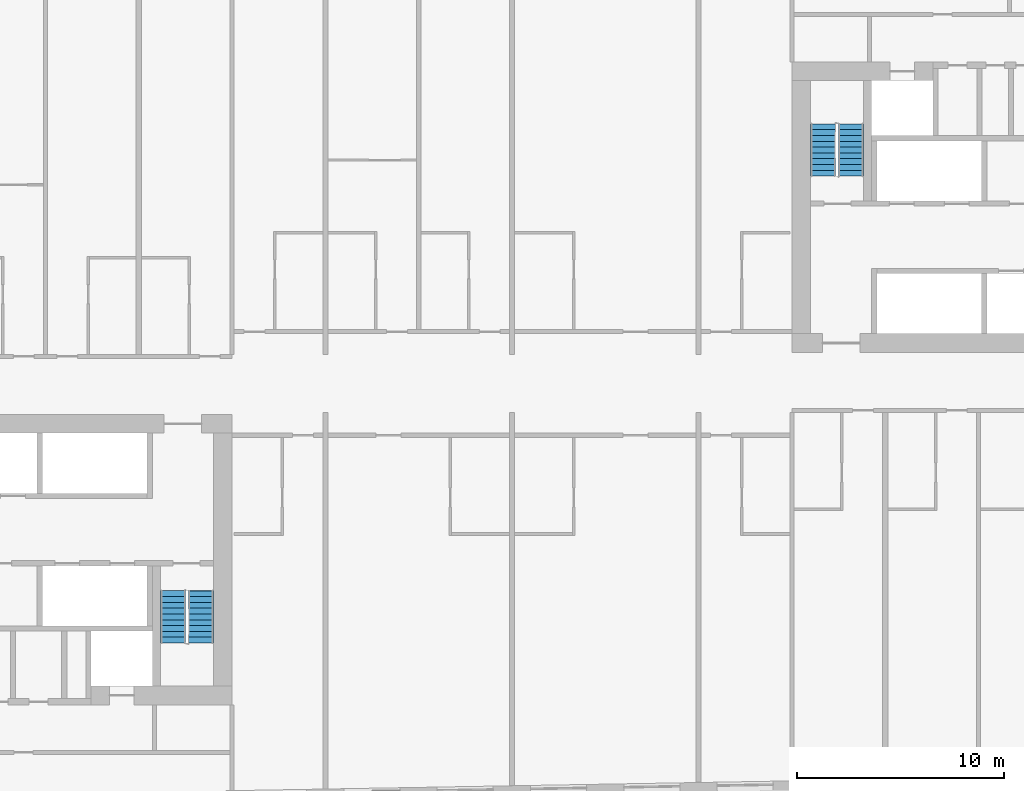
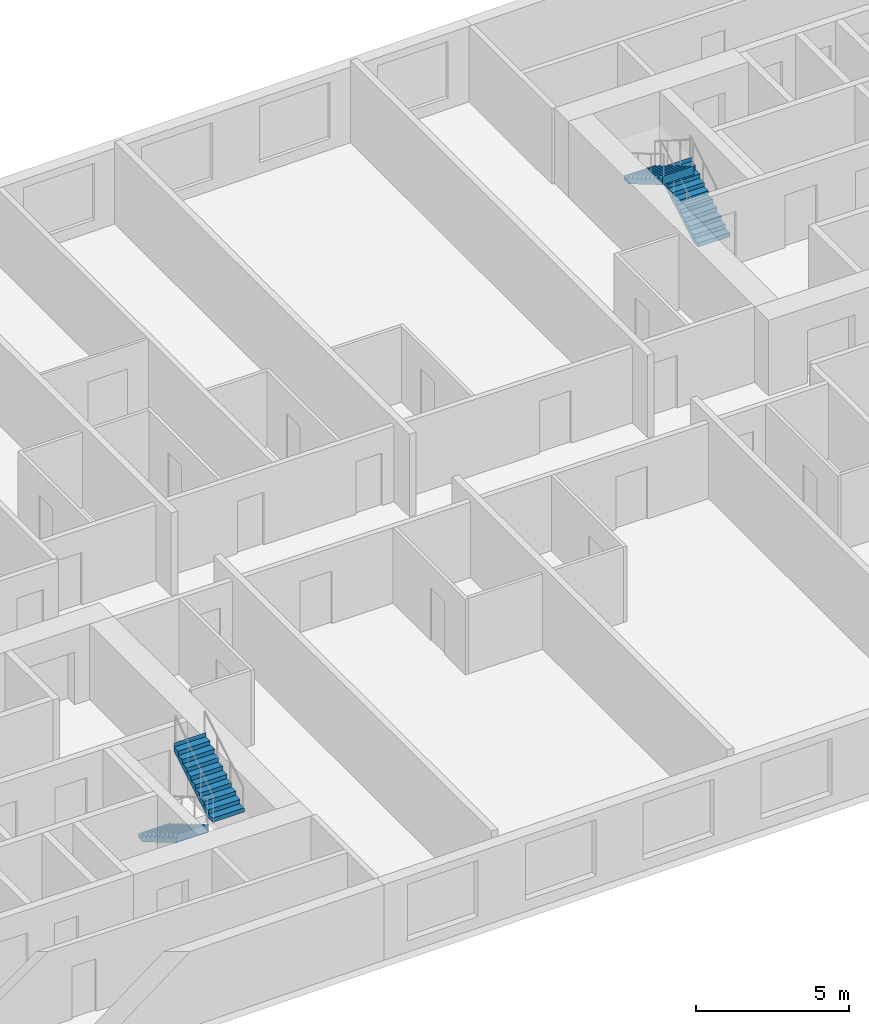
# One storey, part 9 of 11: 4 stair flights, 2 elements without a shape of their own.
"""IFC4 building model written with IfcOpenShell, lengths in metres."""

from ifc_helpers import new_model, si_unit, direction, frame, origin, place, context, subcontext, project, spatial, faceted_brep, material, type_object, element, aggregate, save


model = new_model("IFC4")

# Units and contexts
model_context = context("Model", 3, precision=1e-05, world=origin(), true_north=direction((0.0, 1.0)))
body_context = subcontext(model_context, "Body", "Model", "MODEL_VIEW")
ifc_project = project(units=[si_unit("LENGTHUNIT", "METRE"), si_unit("AREAUNIT", "SQUARE_METRE"), si_unit("VOLUMEUNIT", "CUBIC_METRE"), si_unit("PLANEANGLEUNIT", "RADIAN"), si_unit("MASSUNIT", "GRAM", prefix="KILO")], contexts=[model_context])

# Site, building, storey
site_placement = place(None, origin())
site = spatial("IfcSite", under=ifc_project, at=site_placement, CompositionType="ELEMENT")
building_placement = place(site_placement, origin())
building = spatial("IfcBuilding", under=site, at=building_placement, Name="Kajstack Hotel Tower", CompositionType="ELEMENT")
storey_placement = place(building_placement, frame((0.0, 0.0, 250.699951171875)))
storey = spatial("IfcBuildingStorey", under=building, at=storey_placement, Name="L62", CompositionType="ELEMENT", Elevation=250.699951171875)

# Stair, stair flights
ifc_material = material(Name="Concrete C40/50", Category="concrete")
stair_type = type_object("IfcStairType", Name="Exit stair 1200", PredefinedType="HALF_TURN_STAIR", material=ifc_material)
stair_1_placement = place(storey_placement, origin())
stair_1 = element("IfcStair", 1, at=stair_1_placement, inside=storey, type_object=stair_type, Name="L62 stair W2", PredefinedType="HALF_TURN_STAIR")
stair_flight_type = type_object("IfcStairFlightType", Name="Exit stair flight 1200", PredefinedType="STRAIGHT", material=ifc_material)
stair_flight_1_placement = place(storey_placement, frame((-16.35009765625, -10.0, 0.0), z_axis=(0.0, 0.0, 1.0), x_axis=(0.0, -1.0, 0.0)))
stair_flight_1 = element("IfcStairFlight", 2, at=stair_flight_1_placement, type_object=stair_flight_type, Name="W2 flight 1", NumberOfRisers=10, NumberOfTreads=9, PredefinedType="STRAIGHT", RiserHeight=0.165, TreadLength=0.28, context=body_context, shape_type="Brep", body=[
    faceted_brep([(0.295654296875, -0.60009765625, 0.0), (2.5205078125, -0.60009765625, 1.31103515625), (2.5205078125, -0.60009765625, 1.64990234375), (2.52001953125, -0.60009765625, 1.64990234375), (2.52001953125, -0.60009765625, 1.485107421875), (2.239990234375, -0.60009765625, 1.485107421875), (2.239990234375, -0.60009765625, 1.320068359375), (1.9599609375, -0.60009765625, 1.320068359375), (1.9599609375, -0.60009765625, 1.155029296875), (1.679931640625, -0.60009765625, 1.155029296875), (1.679931640625, -0.60009765625, 0.989990234375), (1.39990234375, -0.60009765625, 0.989990234375), (1.39990234375, -0.60009765625, 0.824951171875), (1.1201171875, -0.60009765625, 0.824951171875), (1.1201171875, -0.60009765625, 0.659912109375), (0.840087890625, -0.60009765625, 0.659912109375), (0.840087890625, -0.60009765625, 0.4951171875), (0.56005859375, -0.60009765625, 0.4951171875), (0.56005859375, -0.60009765625, 0.330078125), (0.280029296875, -0.60009765625, 0.330078125), (0.280029296875, -0.60009765625, 0.1650390625), (-0.00048828125, -0.60009765625, 0.1650390625), (-0.00048828125, -0.60009765625, 0.0), (-0.00048828125, 0.60009765625, 0.0), (-0.00048828125, 0.60009765625, 0.1650390625), (0.280029296875, 0.60009765625, 0.1650390625), (0.280029296875, 0.60009765625, 0.330078125), (0.56005859375, 0.60009765625, 0.330078125), (0.56005859375, 0.60009765625, 0.4951171875), (0.840087890625, 0.60009765625, 0.4951171875), (0.840087890625, 0.60009765625, 0.659912109375), (1.1201171875, 0.60009765625, 0.659912109375), (1.1201171875, 0.60009765625, 0.824951171875), (1.39990234375, 0.60009765625, 0.824951171875), (1.39990234375, 0.60009765625, 0.989990234375), (1.679931640625, 0.60009765625, 0.989990234375), (1.679931640625, 0.60009765625, 1.155029296875), (1.9599609375, 0.60009765625, 1.155029296875), (1.9599609375, 0.60009765625, 1.320068359375), (2.239990234375, 0.60009765625, 1.320068359375), (2.239990234375, 0.60009765625, 1.485107421875), (2.52001953125, 0.60009765625, 1.485107421875), (2.52001953125, 0.60009765625, 1.64990234375), (2.5205078125, 0.60009765625, 1.64990234375), (2.5205078125, 0.60009765625, 1.31103515625), (0.295654296875, 0.60009765625, 0.0), (-0.00048828125, -0.300048828125, 0.1650390625), (-0.00048828125, 0.0, 0.1650390625), (-0.00048828125, 0.300048828125, 0.1650390625), (-0.00048828125, 0.300048828125, 0.0), (-0.00048828125, 0.0, 0.0), (-0.00048828125, -0.300048828125, 0.0), (0.280029296875, -0.300048828125, 0.1650390625), (0.280029296875, 0.0, 0.1650390625), (0.280029296875, 0.300048828125, 0.1650390625), (0.280029296875, -0.300048828125, 0.330078125), (0.280029296875, 0.0, 0.330078125), (0.280029296875, 0.300048828125, 0.330078125), (0.56005859375, -0.300048828125, 0.330078125), (0.56005859375, 0.0, 0.330078125), (0.56005859375, 0.300048828125, 0.330078125), (0.56005859375, -0.300048828125, 0.4951171875), (0.56005859375, 0.0, 0.4951171875), (0.56005859375, 0.300048828125, 0.4951171875), (0.840087890625, -0.300048828125, 0.4951171875), (0.840087890625, 0.0, 0.4951171875), (0.840087890625, 0.300048828125, 0.4951171875), (0.840087890625, -0.300048828125, 0.659912109375), (0.840087890625, 0.0, 0.659912109375), (0.840087890625, 0.300048828125, 0.659912109375), (1.1201171875, -0.300048828125, 0.659912109375), (1.1201171875, 0.0, 0.659912109375), (1.1201171875, 0.300048828125, 0.659912109375), (1.1201171875, -0.300048828125, 0.824951171875), (1.1201171875, 0.0, 0.824951171875), (1.1201171875, 0.300048828125, 0.824951171875), (1.39990234375, -0.300048828125, 0.824951171875), (1.39990234375, 0.0, 0.824951171875), (1.39990234375, 0.300048828125, 0.824951171875), (1.39990234375, -0.300048828125, 0.989990234375), (1.39990234375, 0.0, 0.989990234375), (1.39990234375, 0.300048828125, 0.989990234375), (1.679931640625, -0.300048828125, 0.989990234375), (1.679931640625, 0.0, 0.989990234375), (1.679931640625, 0.300048828125, 0.989990234375), (1.679931640625, -0.300048828125, 1.155029296875), (1.679931640625, 0.0, 1.155029296875), (1.679931640625, 0.300048828125, 1.155029296875), (1.9599609375, -0.300048828125, 1.155029296875), (1.9599609375, 0.0, 1.155029296875), (1.9599609375, 0.300048828125, 1.155029296875), (1.9599609375, -0.300048828125, 1.320068359375), (1.9599609375, 0.0, 1.320068359375), (1.9599609375, 0.300048828125, 1.320068359375), (2.239990234375, -0.300048828125, 1.320068359375), (2.239990234375, 0.0, 1.320068359375), (2.239990234375, 0.300048828125, 1.320068359375), (2.239990234375, -0.300048828125, 1.485107421875), (2.239990234375, 0.0, 1.485107421875), (2.239990234375, 0.300048828125, 1.485107421875), (2.52001953125, -0.300048828125, 1.485107421875), (2.52001953125, 0.0, 1.485107421875), (2.52001953125, 0.300048828125, 1.485107421875), (2.52001953125, -0.300048828125, 1.64990234375), (2.52001953125, 0.0, 1.64990234375), (2.52001953125, 0.300048828125, 1.64990234375), (2.5205078125, -0.300048828125, 1.64990234375), (2.5205078125, 0.0, 1.64990234375), (2.5205078125, 0.300048828125, 1.64990234375), (2.5205078125, -0.300048828125, 1.31103515625), (2.5205078125, 0.0, 1.31103515625), (2.5205078125, 0.300048828125, 1.31103515625), (0.295654296875, -0.300048828125, 0.0), (0.295654296875, 0.0, 0.0), (0.295654296875, 0.300048828125, 0.0)], [[[0, 1, 2, 3, 4, 5, 6, 7, 8, 9, 10, 11, 12, 13, 14, 15, 16, 17, 18, 19, 20, 21, 22]], [[23, 24, 25, 26, 27, 28, 29, 30, 31, 32, 33, 34, 35, 36, 37, 38, 39, 40, 41, 42, 43, 44, 45]], [[21, 46, 47, 48, 24, 23, 49, 50, 51, 22]], [[20, 52, 53, 54, 25, 24, 48, 47, 46, 21]], [[19, 55, 56, 57, 26, 25, 54, 53, 52, 20]], [[18, 58, 59, 60, 27, 26, 57, 56, 55, 19]], [[17, 61, 62, 63, 28, 27, 60, 59, 58, 18]], [[16, 64, 65, 66, 29, 28, 63, 62, 61, 17]], [[15, 67, 68, 69, 30, 29, 66, 65, 64, 16]], [[14, 70, 71, 72, 31, 30, 69, 68, 67, 15]], [[13, 73, 74, 75, 32, 31, 72, 71, 70, 14]], [[12, 76, 77, 78, 33, 32, 75, 74, 73, 13]], [[11, 79, 80, 81, 34, 33, 78, 77, 76, 12]], [[10, 82, 83, 84, 35, 34, 81, 80, 79, 11]], [[9, 85, 86, 87, 36, 35, 84, 83, 82, 10]], [[8, 88, 89, 90, 37, 36, 87, 86, 85, 9]], [[7, 91, 92, 93, 38, 37, 90, 89, 88, 8]], [[6, 94, 95, 96, 39, 38, 93, 92, 91, 7]], [[5, 97, 98, 99, 40, 39, 96, 95, 94, 6]], [[4, 100, 101, 102, 41, 40, 99, 98, 97, 5]], [[3, 103, 104, 105, 42, 41, 102, 101, 100, 4]], [[2, 106, 107, 108, 43, 42, 105, 104, 103, 3]], [[1, 109, 110, 111, 44, 43, 108, 107, 106, 2]], [[0, 112, 113, 114, 45, 44, 111, 110, 109, 1]], [[22, 51, 50, 49, 23, 45, 114, 113, 112, 0]]]),
])
stair_flight_2_placement = place(storey_placement, frame((-15.0, -12.52001953125, 1.650146484375), z_axis=(0.0, 0.0, 1.0), x_axis=(0.0, 1.0, 0.0)))
stair_flight_2 = element("IfcStairFlight", 3, at=stair_flight_2_placement, type_object=stair_flight_type, Name="W2 flight 2", NumberOfRisers=10, NumberOfTreads=9, PredefinedType="STRAIGHT", RiserHeight=0.165, TreadLength=0.28, context=body_context, shape_type="Brep", body=[
    faceted_brep([(0.295654296875, -0.60009765625, 0.0), (2.5205078125, -0.60009765625, 1.31103515625), (2.5205078125, -0.60009765625, 1.64990234375), (2.52001953125, -0.60009765625, 1.64990234375), (2.52001953125, -0.60009765625, 1.485107421875), (2.239990234375, -0.60009765625, 1.485107421875), (2.239990234375, -0.60009765625, 1.320068359375), (1.9599609375, -0.60009765625, 1.320068359375), (1.9599609375, -0.60009765625, 1.155029296875), (1.679931640625, -0.60009765625, 1.155029296875), (1.679931640625, -0.60009765625, 0.989990234375), (1.39990234375, -0.60009765625, 0.989990234375), (1.39990234375, -0.60009765625, 0.824951171875), (1.1201171875, -0.60009765625, 0.824951171875), (1.1201171875, -0.60009765625, 0.659912109375), (0.840087890625, -0.60009765625, 0.659912109375), (0.840087890625, -0.60009765625, 0.4951171875), (0.56005859375, -0.60009765625, 0.4951171875), (0.56005859375, -0.60009765625, 0.330078125), (0.280029296875, -0.60009765625, 0.330078125), (0.280029296875, -0.60009765625, 0.1650390625), (-0.00048828125, -0.60009765625, 0.1650390625), (-0.00048828125, -0.60009765625, 0.0), (-0.00048828125, 0.60009765625, 0.0), (-0.00048828125, 0.60009765625, 0.1650390625), (0.280029296875, 0.60009765625, 0.1650390625), (0.280029296875, 0.60009765625, 0.330078125), (0.56005859375, 0.60009765625, 0.330078125), (0.56005859375, 0.60009765625, 0.4951171875), (0.840087890625, 0.60009765625, 0.4951171875), (0.840087890625, 0.60009765625, 0.659912109375), (1.1201171875, 0.60009765625, 0.659912109375), (1.1201171875, 0.60009765625, 0.824951171875), (1.39990234375, 0.60009765625, 0.824951171875), (1.39990234375, 0.60009765625, 0.989990234375), (1.679931640625, 0.60009765625, 0.989990234375), (1.679931640625, 0.60009765625, 1.155029296875), (1.9599609375, 0.60009765625, 1.155029296875), (1.9599609375, 0.60009765625, 1.320068359375), (2.239990234375, 0.60009765625, 1.320068359375), (2.239990234375, 0.60009765625, 1.485107421875), (2.52001953125, 0.60009765625, 1.485107421875), (2.52001953125, 0.60009765625, 1.64990234375), (2.5205078125, 0.60009765625, 1.64990234375), (2.5205078125, 0.60009765625, 1.31103515625), (0.295654296875, 0.60009765625, 0.0), (-0.00048828125, -0.300048828125, 0.1650390625), (-0.00048828125, 0.0, 0.1650390625), (-0.00048828125, 0.300048828125, 0.1650390625), (-0.00048828125, 0.300048828125, 0.0), (-0.00048828125, 0.0, 0.0), (-0.00048828125, -0.300048828125, 0.0), (0.280029296875, -0.300048828125, 0.1650390625), (0.280029296875, 0.0, 0.1650390625), (0.280029296875, 0.300048828125, 0.1650390625), (0.280029296875, -0.300048828125, 0.330078125), (0.280029296875, 0.0, 0.330078125), (0.280029296875, 0.300048828125, 0.330078125), (0.56005859375, -0.300048828125, 0.330078125), (0.56005859375, 0.0, 0.330078125), (0.56005859375, 0.300048828125, 0.330078125), (0.56005859375, -0.300048828125, 0.4951171875), (0.56005859375, 0.0, 0.4951171875), (0.56005859375, 0.300048828125, 0.4951171875), (0.840087890625, -0.300048828125, 0.4951171875), (0.840087890625, 0.0, 0.4951171875), (0.840087890625, 0.300048828125, 0.4951171875), (0.840087890625, -0.300048828125, 0.659912109375), (0.840087890625, 0.0, 0.659912109375), (0.840087890625, 0.300048828125, 0.659912109375), (1.1201171875, -0.300048828125, 0.659912109375), (1.1201171875, 0.0, 0.659912109375), (1.1201171875, 0.300048828125, 0.659912109375), (1.1201171875, -0.300048828125, 0.824951171875), (1.1201171875, 0.0, 0.824951171875), (1.1201171875, 0.300048828125, 0.824951171875), (1.39990234375, -0.300048828125, 0.824951171875), (1.39990234375, 0.0, 0.824951171875), (1.39990234375, 0.300048828125, 0.824951171875), (1.39990234375, -0.300048828125, 0.989990234375), (1.39990234375, 0.0, 0.989990234375), (1.39990234375, 0.300048828125, 0.989990234375), (1.679931640625, -0.300048828125, 0.989990234375), (1.679931640625, 0.0, 0.989990234375), (1.679931640625, 0.300048828125, 0.989990234375), (1.679931640625, -0.300048828125, 1.155029296875), (1.679931640625, 0.0, 1.155029296875), (1.679931640625, 0.300048828125, 1.155029296875), (1.9599609375, -0.300048828125, 1.155029296875), (1.9599609375, 0.0, 1.155029296875), (1.9599609375, 0.300048828125, 1.155029296875), (1.9599609375, -0.300048828125, 1.320068359375), (1.9599609375, 0.0, 1.320068359375), (1.9599609375, 0.300048828125, 1.320068359375), (2.239990234375, -0.300048828125, 1.320068359375), (2.239990234375, 0.0, 1.320068359375), (2.239990234375, 0.300048828125, 1.320068359375), (2.239990234375, -0.300048828125, 1.485107421875), (2.239990234375, 0.0, 1.485107421875), (2.239990234375, 0.300048828125, 1.485107421875), (2.52001953125, -0.300048828125, 1.485107421875), (2.52001953125, 0.0, 1.485107421875), (2.52001953125, 0.300048828125, 1.485107421875), (2.52001953125, -0.300048828125, 1.64990234375), (2.52001953125, 0.0, 1.64990234375), (2.52001953125, 0.300048828125, 1.64990234375), (2.5205078125, -0.300048828125, 1.64990234375), (2.5205078125, 0.0, 1.64990234375), (2.5205078125, 0.300048828125, 1.64990234375), (2.5205078125, -0.300048828125, 1.31103515625), (2.5205078125, 0.0, 1.31103515625), (2.5205078125, 0.300048828125, 1.31103515625), (0.295654296875, -0.300048828125, 0.0), (0.295654296875, 0.0, 0.0), (0.295654296875, 0.300048828125, 0.0)], [[[0, 1, 2, 3, 4, 5, 6, 7, 8, 9, 10, 11, 12, 13, 14, 15, 16, 17, 18, 19, 20, 21, 22]], [[23, 24, 25, 26, 27, 28, 29, 30, 31, 32, 33, 34, 35, 36, 37, 38, 39, 40, 41, 42, 43, 44, 45]], [[21, 46, 47, 48, 24, 23, 49, 50, 51, 22]], [[20, 52, 53, 54, 25, 24, 48, 47, 46, 21]], [[19, 55, 56, 57, 26, 25, 54, 53, 52, 20]], [[18, 58, 59, 60, 27, 26, 57, 56, 55, 19]], [[17, 61, 62, 63, 28, 27, 60, 59, 58, 18]], [[16, 64, 65, 66, 29, 28, 63, 62, 61, 17]], [[15, 67, 68, 69, 30, 29, 66, 65, 64, 16]], [[14, 70, 71, 72, 31, 30, 69, 68, 67, 15]], [[13, 73, 74, 75, 32, 31, 72, 71, 70, 14]], [[12, 76, 77, 78, 33, 32, 75, 74, 73, 13]], [[11, 79, 80, 81, 34, 33, 78, 77, 76, 12]], [[10, 82, 83, 84, 35, 34, 81, 80, 79, 11]], [[9, 85, 86, 87, 36, 35, 84, 83, 82, 10]], [[8, 88, 89, 90, 37, 36, 87, 86, 85, 9]], [[7, 91, 92, 93, 38, 37, 90, 89, 88, 8]], [[6, 94, 95, 96, 39, 38, 93, 92, 91, 7]], [[5, 97, 98, 99, 40, 39, 96, 95, 94, 6]], [[4, 100, 101, 102, 41, 40, 99, 98, 97, 5]], [[3, 103, 104, 105, 42, 41, 102, 101, 100, 4]], [[2, 106, 107, 108, 43, 42, 105, 104, 103, 3]], [[1, 109, 110, 111, 44, 43, 108, 107, 106, 2]], [[0, 112, 113, 114, 45, 44, 111, 110, 109, 1]], [[22, 51, 50, 49, 23, 45, 114, 113, 112, 0]]]),
])
aggregate(stair_1, [stair_flight_1, stair_flight_2])

stair_2_placement = place(storey_placement, origin())
stair_2 = element("IfcStair", 4, at=stair_2_placement, inside=storey, type_object=stair_type, Name="L62 stair E2", PredefinedType="HALF_TURN_STAIR")
stair_flight_3_placement = place(storey_placement, frame((16.35009765625, 10.0, 0.0), z_axis=(0.0, 0.0, 1.0), x_axis=(0.0, 1.0, 0.0)))
stair_flight_3 = element("IfcStairFlight", 5, at=stair_flight_3_placement, type_object=stair_flight_type, Name="E2 flight 1", NumberOfRisers=10, NumberOfTreads=9, PredefinedType="STRAIGHT", RiserHeight=0.165, TreadLength=0.28, context=body_context, shape_type="Brep", body=[
    faceted_brep([(0.295654296875, -0.60009765625, 0.0), (2.5205078125, -0.60009765625, 1.31103515625), (2.5205078125, -0.60009765625, 1.64990234375), (2.52001953125, -0.60009765625, 1.64990234375), (2.52001953125, -0.60009765625, 1.485107421875), (2.239990234375, -0.60009765625, 1.485107421875), (2.239990234375, -0.60009765625, 1.320068359375), (1.9599609375, -0.60009765625, 1.320068359375), (1.9599609375, -0.60009765625, 1.155029296875), (1.679931640625, -0.60009765625, 1.155029296875), (1.679931640625, -0.60009765625, 0.989990234375), (1.39990234375, -0.60009765625, 0.989990234375), (1.39990234375, -0.60009765625, 0.824951171875), (1.1201171875, -0.60009765625, 0.824951171875), (1.1201171875, -0.60009765625, 0.659912109375), (0.840087890625, -0.60009765625, 0.659912109375), (0.840087890625, -0.60009765625, 0.4951171875), (0.56005859375, -0.60009765625, 0.4951171875), (0.56005859375, -0.60009765625, 0.330078125), (0.280029296875, -0.60009765625, 0.330078125), (0.280029296875, -0.60009765625, 0.1650390625), (-0.00048828125, -0.60009765625, 0.1650390625), (-0.00048828125, -0.60009765625, 0.0), (-0.00048828125, 0.60009765625, 0.0), (-0.00048828125, 0.60009765625, 0.1650390625), (0.280029296875, 0.60009765625, 0.1650390625), (0.280029296875, 0.60009765625, 0.330078125), (0.56005859375, 0.60009765625, 0.330078125), (0.56005859375, 0.60009765625, 0.4951171875), (0.840087890625, 0.60009765625, 0.4951171875), (0.840087890625, 0.60009765625, 0.659912109375), (1.1201171875, 0.60009765625, 0.659912109375), (1.1201171875, 0.60009765625, 0.824951171875), (1.39990234375, 0.60009765625, 0.824951171875), (1.39990234375, 0.60009765625, 0.989990234375), (1.679931640625, 0.60009765625, 0.989990234375), (1.679931640625, 0.60009765625, 1.155029296875), (1.9599609375, 0.60009765625, 1.155029296875), (1.9599609375, 0.60009765625, 1.320068359375), (2.239990234375, 0.60009765625, 1.320068359375), (2.239990234375, 0.60009765625, 1.485107421875), (2.52001953125, 0.60009765625, 1.485107421875), (2.52001953125, 0.60009765625, 1.64990234375), (2.5205078125, 0.60009765625, 1.64990234375), (2.5205078125, 0.60009765625, 1.31103515625), (0.295654296875, 0.60009765625, 0.0), (-0.00048828125, -0.300048828125, 0.1650390625), (-0.00048828125, 0.0, 0.1650390625), (-0.00048828125, 0.300048828125, 0.1650390625), (-0.00048828125, 0.300048828125, 0.0), (-0.00048828125, 0.0, 0.0), (-0.00048828125, -0.300048828125, 0.0), (0.280029296875, -0.300048828125, 0.1650390625), (0.280029296875, 0.0, 0.1650390625), (0.280029296875, 0.300048828125, 0.1650390625), (0.280029296875, -0.300048828125, 0.330078125), (0.280029296875, 0.0, 0.330078125), (0.280029296875, 0.300048828125, 0.330078125), (0.56005859375, -0.300048828125, 0.330078125), (0.56005859375, 0.0, 0.330078125), (0.56005859375, 0.300048828125, 0.330078125), (0.56005859375, -0.300048828125, 0.4951171875), (0.56005859375, 0.0, 0.4951171875), (0.56005859375, 0.300048828125, 0.4951171875), (0.840087890625, -0.300048828125, 0.4951171875), (0.840087890625, 0.0, 0.4951171875), (0.840087890625, 0.300048828125, 0.4951171875), (0.840087890625, -0.300048828125, 0.659912109375), (0.840087890625, 0.0, 0.659912109375), (0.840087890625, 0.300048828125, 0.659912109375), (1.1201171875, -0.300048828125, 0.659912109375), (1.1201171875, 0.0, 0.659912109375), (1.1201171875, 0.300048828125, 0.659912109375), (1.1201171875, -0.300048828125, 0.824951171875), (1.1201171875, 0.0, 0.824951171875), (1.1201171875, 0.300048828125, 0.824951171875), (1.39990234375, -0.300048828125, 0.824951171875), (1.39990234375, 0.0, 0.824951171875), (1.39990234375, 0.300048828125, 0.824951171875), (1.39990234375, -0.300048828125, 0.989990234375), (1.39990234375, 0.0, 0.989990234375), (1.39990234375, 0.300048828125, 0.989990234375), (1.679931640625, -0.300048828125, 0.989990234375), (1.679931640625, 0.0, 0.989990234375), (1.679931640625, 0.300048828125, 0.989990234375), (1.679931640625, -0.300048828125, 1.155029296875), (1.679931640625, 0.0, 1.155029296875), (1.679931640625, 0.300048828125, 1.155029296875), (1.9599609375, -0.300048828125, 1.155029296875), (1.9599609375, 0.0, 1.155029296875), (1.9599609375, 0.300048828125, 1.155029296875), (1.9599609375, -0.300048828125, 1.320068359375), (1.9599609375, 0.0, 1.320068359375), (1.9599609375, 0.300048828125, 1.320068359375), (2.239990234375, -0.300048828125, 1.320068359375), (2.239990234375, 0.0, 1.320068359375), (2.239990234375, 0.300048828125, 1.320068359375), (2.239990234375, -0.300048828125, 1.485107421875), (2.239990234375, 0.0, 1.485107421875), (2.239990234375, 0.300048828125, 1.485107421875), (2.52001953125, -0.300048828125, 1.485107421875), (2.52001953125, 0.0, 1.485107421875), (2.52001953125, 0.300048828125, 1.485107421875), (2.52001953125, -0.300048828125, 1.64990234375), (2.52001953125, 0.0, 1.64990234375), (2.52001953125, 0.300048828125, 1.64990234375), (2.5205078125, -0.300048828125, 1.64990234375), (2.5205078125, 0.0, 1.64990234375), (2.5205078125, 0.300048828125, 1.64990234375), (2.5205078125, -0.300048828125, 1.31103515625), (2.5205078125, 0.0, 1.31103515625), (2.5205078125, 0.300048828125, 1.31103515625), (0.295654296875, -0.300048828125, 0.0), (0.295654296875, 0.0, 0.0), (0.295654296875, 0.300048828125, 0.0)], [[[0, 1, 2, 3, 4, 5, 6, 7, 8, 9, 10, 11, 12, 13, 14, 15, 16, 17, 18, 19, 20, 21, 22]], [[23, 24, 25, 26, 27, 28, 29, 30, 31, 32, 33, 34, 35, 36, 37, 38, 39, 40, 41, 42, 43, 44, 45]], [[21, 46, 47, 48, 24, 23, 49, 50, 51, 22]], [[20, 52, 53, 54, 25, 24, 48, 47, 46, 21]], [[19, 55, 56, 57, 26, 25, 54, 53, 52, 20]], [[18, 58, 59, 60, 27, 26, 57, 56, 55, 19]], [[17, 61, 62, 63, 28, 27, 60, 59, 58, 18]], [[16, 64, 65, 66, 29, 28, 63, 62, 61, 17]], [[15, 67, 68, 69, 30, 29, 66, 65, 64, 16]], [[14, 70, 71, 72, 31, 30, 69, 68, 67, 15]], [[13, 73, 74, 75, 32, 31, 72, 71, 70, 14]], [[12, 76, 77, 78, 33, 32, 75, 74, 73, 13]], [[11, 79, 80, 81, 34, 33, 78, 77, 76, 12]], [[10, 82, 83, 84, 35, 34, 81, 80, 79, 11]], [[9, 85, 86, 87, 36, 35, 84, 83, 82, 10]], [[8, 88, 89, 90, 37, 36, 87, 86, 85, 9]], [[7, 91, 92, 93, 38, 37, 90, 89, 88, 8]], [[6, 94, 95, 96, 39, 38, 93, 92, 91, 7]], [[5, 97, 98, 99, 40, 39, 96, 95, 94, 6]], [[4, 100, 101, 102, 41, 40, 99, 98, 97, 5]], [[3, 103, 104, 105, 42, 41, 102, 101, 100, 4]], [[2, 106, 107, 108, 43, 42, 105, 104, 103, 3]], [[1, 109, 110, 111, 44, 43, 108, 107, 106, 2]], [[0, 112, 113, 114, 45, 44, 111, 110, 109, 1]], [[22, 51, 50, 49, 23, 45, 114, 113, 112, 0]]]),
])
stair_flight_4_placement = place(storey_placement, frame((15.0, 12.52001953125, 1.650146484375), z_axis=(0.0, 0.0, 1.0), x_axis=(0.0, -1.0, 0.0)))
stair_flight_4 = element("IfcStairFlight", 6, at=stair_flight_4_placement, type_object=stair_flight_type, Name="E2 flight 2", NumberOfRisers=10, NumberOfTreads=9, PredefinedType="STRAIGHT", RiserHeight=0.165, TreadLength=0.28, context=body_context, shape_type="Brep", body=[
    faceted_brep([(0.295654296875, -0.60009765625, 0.0), (2.5205078125, -0.60009765625, 1.31103515625), (2.5205078125, -0.60009765625, 1.64990234375), (2.52001953125, -0.60009765625, 1.64990234375), (2.52001953125, -0.60009765625, 1.485107421875), (2.239990234375, -0.60009765625, 1.485107421875), (2.239990234375, -0.60009765625, 1.320068359375), (1.9599609375, -0.60009765625, 1.320068359375), (1.9599609375, -0.60009765625, 1.155029296875), (1.679931640625, -0.60009765625, 1.155029296875), (1.679931640625, -0.60009765625, 0.989990234375), (1.39990234375, -0.60009765625, 0.989990234375), (1.39990234375, -0.60009765625, 0.824951171875), (1.1201171875, -0.60009765625, 0.824951171875), (1.1201171875, -0.60009765625, 0.659912109375), (0.840087890625, -0.60009765625, 0.659912109375), (0.840087890625, -0.60009765625, 0.4951171875), (0.56005859375, -0.60009765625, 0.4951171875), (0.56005859375, -0.60009765625, 0.330078125), (0.280029296875, -0.60009765625, 0.330078125), (0.280029296875, -0.60009765625, 0.1650390625), (-0.00048828125, -0.60009765625, 0.1650390625), (-0.00048828125, -0.60009765625, 0.0), (-0.00048828125, 0.60009765625, 0.0), (-0.00048828125, 0.60009765625, 0.1650390625), (0.280029296875, 0.60009765625, 0.1650390625), (0.280029296875, 0.60009765625, 0.330078125), (0.56005859375, 0.60009765625, 0.330078125), (0.56005859375, 0.60009765625, 0.4951171875), (0.840087890625, 0.60009765625, 0.4951171875), (0.840087890625, 0.60009765625, 0.659912109375), (1.1201171875, 0.60009765625, 0.659912109375), (1.1201171875, 0.60009765625, 0.824951171875), (1.39990234375, 0.60009765625, 0.824951171875), (1.39990234375, 0.60009765625, 0.989990234375), (1.679931640625, 0.60009765625, 0.989990234375), (1.679931640625, 0.60009765625, 1.155029296875), (1.9599609375, 0.60009765625, 1.155029296875), (1.9599609375, 0.60009765625, 1.320068359375), (2.239990234375, 0.60009765625, 1.320068359375), (2.239990234375, 0.60009765625, 1.485107421875), (2.52001953125, 0.60009765625, 1.485107421875), (2.52001953125, 0.60009765625, 1.64990234375), (2.5205078125, 0.60009765625, 1.64990234375), (2.5205078125, 0.60009765625, 1.31103515625), (0.295654296875, 0.60009765625, 0.0), (-0.00048828125, -0.300048828125, 0.1650390625), (-0.00048828125, 0.0, 0.1650390625), (-0.00048828125, 0.300048828125, 0.1650390625), (-0.00048828125, 0.300048828125, 0.0), (-0.00048828125, 0.0, 0.0), (-0.00048828125, -0.300048828125, 0.0), (0.280029296875, -0.300048828125, 0.1650390625), (0.280029296875, 0.0, 0.1650390625), (0.280029296875, 0.300048828125, 0.1650390625), (0.280029296875, -0.300048828125, 0.330078125), (0.280029296875, 0.0, 0.330078125), (0.280029296875, 0.300048828125, 0.330078125), (0.56005859375, -0.300048828125, 0.330078125), (0.56005859375, 0.0, 0.330078125), (0.56005859375, 0.300048828125, 0.330078125), (0.56005859375, -0.300048828125, 0.4951171875), (0.56005859375, 0.0, 0.4951171875), (0.56005859375, 0.300048828125, 0.4951171875), (0.840087890625, -0.300048828125, 0.4951171875), (0.840087890625, 0.0, 0.4951171875), (0.840087890625, 0.300048828125, 0.4951171875), (0.840087890625, -0.300048828125, 0.659912109375), (0.840087890625, 0.0, 0.659912109375), (0.840087890625, 0.300048828125, 0.659912109375), (1.1201171875, -0.300048828125, 0.659912109375), (1.1201171875, 0.0, 0.659912109375), (1.1201171875, 0.300048828125, 0.659912109375), (1.1201171875, -0.300048828125, 0.824951171875), (1.1201171875, 0.0, 0.824951171875), (1.1201171875, 0.300048828125, 0.824951171875), (1.39990234375, -0.300048828125, 0.824951171875), (1.39990234375, 0.0, 0.824951171875), (1.39990234375, 0.300048828125, 0.824951171875), (1.39990234375, -0.300048828125, 0.989990234375), (1.39990234375, 0.0, 0.989990234375), (1.39990234375, 0.300048828125, 0.989990234375), (1.679931640625, -0.300048828125, 0.989990234375), (1.679931640625, 0.0, 0.989990234375), (1.679931640625, 0.300048828125, 0.989990234375), (1.679931640625, -0.300048828125, 1.155029296875), (1.679931640625, 0.0, 1.155029296875), (1.679931640625, 0.300048828125, 1.155029296875), (1.9599609375, -0.300048828125, 1.155029296875), (1.9599609375, 0.0, 1.155029296875), (1.9599609375, 0.300048828125, 1.155029296875), (1.9599609375, -0.300048828125, 1.320068359375), (1.9599609375, 0.0, 1.320068359375), (1.9599609375, 0.300048828125, 1.320068359375), (2.239990234375, -0.300048828125, 1.320068359375), (2.239990234375, 0.0, 1.320068359375), (2.239990234375, 0.300048828125, 1.320068359375), (2.239990234375, -0.300048828125, 1.485107421875), (2.239990234375, 0.0, 1.485107421875), (2.239990234375, 0.300048828125, 1.485107421875), (2.52001953125, -0.300048828125, 1.485107421875), (2.52001953125, 0.0, 1.485107421875), (2.52001953125, 0.300048828125, 1.485107421875), (2.52001953125, -0.300048828125, 1.64990234375), (2.52001953125, 0.0, 1.64990234375), (2.52001953125, 0.300048828125, 1.64990234375), (2.5205078125, -0.300048828125, 1.64990234375), (2.5205078125, 0.0, 1.64990234375), (2.5205078125, 0.300048828125, 1.64990234375), (2.5205078125, -0.300048828125, 1.31103515625), (2.5205078125, 0.0, 1.31103515625), (2.5205078125, 0.300048828125, 1.31103515625), (0.295654296875, -0.300048828125, 0.0), (0.295654296875, 0.0, 0.0), (0.295654296875, 0.300048828125, 0.0)], [[[0, 1, 2, 3, 4, 5, 6, 7, 8, 9, 10, 11, 12, 13, 14, 15, 16, 17, 18, 19, 20, 21, 22]], [[23, 24, 25, 26, 27, 28, 29, 30, 31, 32, 33, 34, 35, 36, 37, 38, 39, 40, 41, 42, 43, 44, 45]], [[21, 46, 47, 48, 24, 23, 49, 50, 51, 22]], [[20, 52, 53, 54, 25, 24, 48, 47, 46, 21]], [[19, 55, 56, 57, 26, 25, 54, 53, 52, 20]], [[18, 58, 59, 60, 27, 26, 57, 56, 55, 19]], [[17, 61, 62, 63, 28, 27, 60, 59, 58, 18]], [[16, 64, 65, 66, 29, 28, 63, 62, 61, 17]], [[15, 67, 68, 69, 30, 29, 66, 65, 64, 16]], [[14, 70, 71, 72, 31, 30, 69, 68, 67, 15]], [[13, 73, 74, 75, 32, 31, 72, 71, 70, 14]], [[12, 76, 77, 78, 33, 32, 75, 74, 73, 13]], [[11, 79, 80, 81, 34, 33, 78, 77, 76, 12]], [[10, 82, 83, 84, 35, 34, 81, 80, 79, 11]], [[9, 85, 86, 87, 36, 35, 84, 83, 82, 10]], [[8, 88, 89, 90, 37, 36, 87, 86, 85, 9]], [[7, 91, 92, 93, 38, 37, 90, 89, 88, 8]], [[6, 94, 95, 96, 39, 38, 93, 92, 91, 7]], [[5, 97, 98, 99, 40, 39, 96, 95, 94, 6]], [[4, 100, 101, 102, 41, 40, 99, 98, 97, 5]], [[3, 103, 104, 105, 42, 41, 102, 101, 100, 4]], [[2, 106, 107, 108, 43, 42, 105, 104, 103, 3]], [[1, 109, 110, 111, 44, 43, 108, 107, 106, 2]], [[0, 112, 113, 114, 45, 44, 111, 110, 109, 1]], [[22, 51, 50, 49, 23, 45, 114, 113, 112, 0]]]),
])
aggregate(stair_2, [stair_flight_3, stair_flight_4])

save(model, "model.ifc")
